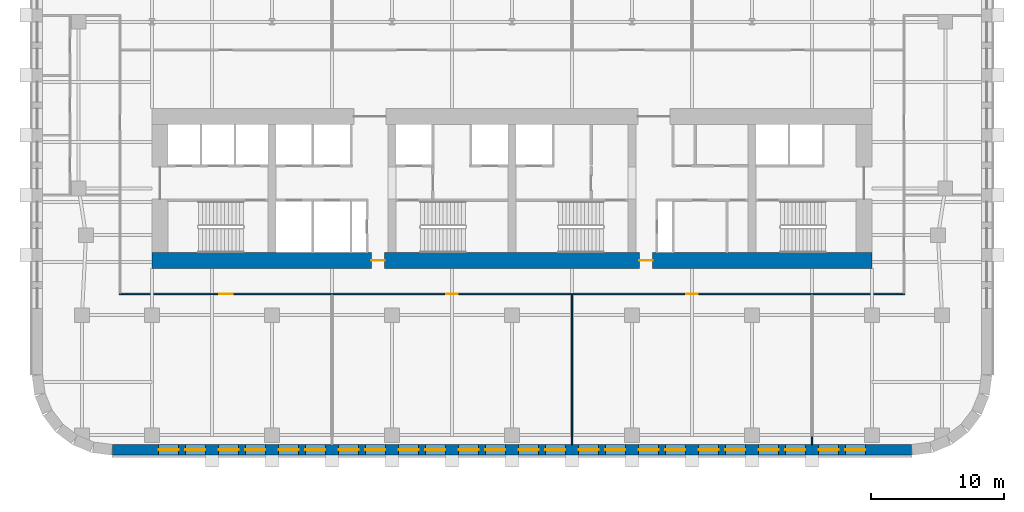
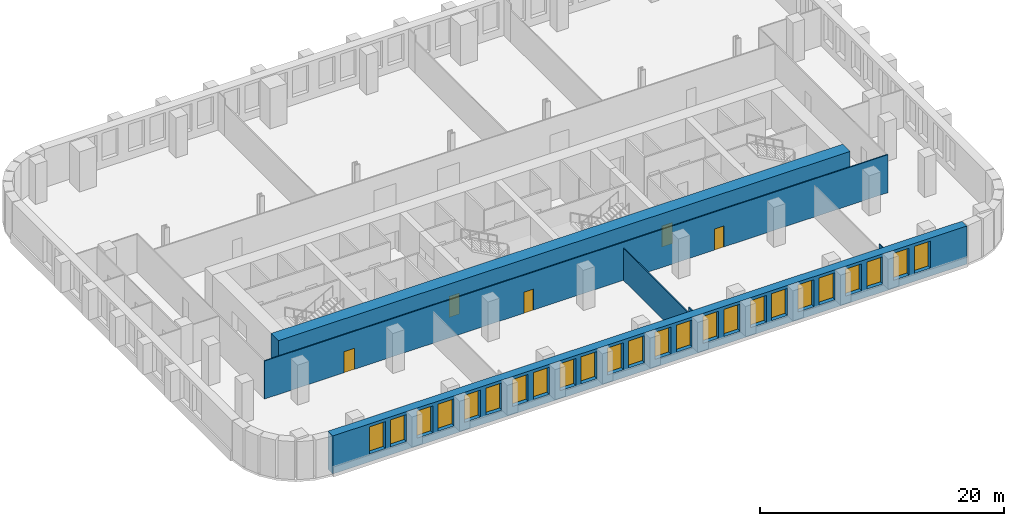
# One storey, part 5 of 11: 24 windows, 6 walls, 5 doors, 29 openings.
"""IFC4 building model written with IfcOpenShell, lengths in metres."""

from ifc_helpers import new_model, si_unit, direction, frame, frame_2d, origin, place, context, subcontext, project, spatial, rectangle, extrude, material, layer, layer_set, type_object, element, fill, save


model = new_model("IFC4")

# Units and contexts
model_context = context("Model", 3, precision=1e-05, world=origin(), true_north=direction((0.0, 1.0)))
body_context = subcontext(model_context, "Body", "Model", "MODEL_VIEW")
ifc_project = project(units=[si_unit("LENGTHUNIT", "METRE"), si_unit("AREAUNIT", "SQUARE_METRE"), si_unit("VOLUMEUNIT", "CUBIC_METRE"), si_unit("PLANEANGLEUNIT", "RADIAN"), si_unit("MASSUNIT", "GRAM", prefix="KILO")], contexts=[model_context])

# Site, building, storey
site_placement = place(None, origin())
site = spatial("IfcSite", under=ifc_project, at=site_placement, CompositionType="ELEMENT")
building_placement = place(site_placement, origin())
building = spatial("IfcBuilding", under=site, at=building_placement, Name="Zellij Exchange Tower", CompositionType="ELEMENT")
storey_placement = place(building_placement, frame((0.0, 0.0, 72.5)))
storey = spatial("IfcBuildingStorey", under=building, at=storey_placement, Name="L14", CompositionType="ELEMENT", Elevation=72.5)

# Wall, openings, doors
ifc_material_1 = material(Name="Concrete C70/85", Category="concrete")
ifc_layer_1 = layer(ifc_material_1, 1.199951171875)
ifc_layer_set_1 = layer_set([ifc_layer_1], Name="Concrete C70/85")
wall_type_1 = type_object("IfcWallType", Name="CORE-SW 1200 C70/85", PredefinedType="SHEAR", material=ifc_layer_set_1)
wall_1_placement = place(storey_placement, frame((-27.0, -13.39990234375, 0.0), z_axis=(0.0, 0.0, 1.0), x_axis=(1.0, 0.0, 0.0)))
wall_1 = element("IfcWall", 1, at=wall_1_placement, inside=storey, type_object=wall_type_1, Name="Core shear wall rear L14", PredefinedType="SHEAR", context=body_context, shape_type="SweptSolid", body=[
    extrude(rectangle(XDim=54.0, YDim=1.199951171875, at=frame_2d((27.0, 0.0))), origin(), (0.0, 0.0, 1.0), 3.800048828125),
])
opening_1_placement = place(wall_1_placement, frame((16.449951171875, 0.0, 0.0)))
opening_1 = element("IfcOpeningElement", 2, at=opening_1_placement, cuts=wall_1, Name="Opening CA-08.12", PredefinedType="OPENING", context=body_context, shape_type="SweptSolid", body=[
    extrude(rectangle(XDim=1.0, YDim=2.10009765625, at=frame_2d((0.5, 1.050048828125))), frame((0.0, 0.61181640625, 0.0), z_axis=(0.0, -1.0, 0.0), x_axis=(1.0, 0.0, 0.0)), (0.0, 0.0, 1.0), 1.223876953125),
])
opening_2_placement = place(wall_1_placement, frame((36.550048828125, 0.0, 0.0)))
opening_2 = element("IfcOpeningElement", 3, at=opening_2_placement, cuts=wall_1, Name="Opening CA-08.20", PredefinedType="OPENING", context=body_context, shape_type="SweptSolid", body=[
    extrude(rectangle(XDim=1.0, YDim=2.10009765625, at=frame_2d((0.5, 1.050048828125))), frame((0.0, 0.61181640625, 0.0), z_axis=(0.0, -1.0, 0.0), x_axis=(1.0, 0.0, 0.0)), (0.0, 0.0, 1.0), 1.223876953125),
])
ifc_material_2 = material(Name="Hollow metal fire door")
door_type_1 = type_object("IfcDoorType", Name="CORE-D CR Core rear door 1000x2100 20 MIN", OperationType="NOTDEFINED", PredefinedType="DOOR", material=ifc_material_2)
door_1_placement = place(opening_1_placement, origin())
door_1 = element("IfcDoor", 4, at=door_1_placement, inside=storey, type_object=door_type_1, Name="Core rear door CA-08.12", OperationType="SINGLE_SWING_RIGHT", OverallHeight=2.10009765625, OverallWidth=1.0, PredefinedType="DOOR", context=body_context, shape_type="SweptSolid", body=[
    extrude(rectangle(XDim=1.0, YDim=2.10009765625, at=frame_2d((0.5, 1.050048828125))), frame((0.0, 0.02490234375, 0.0), z_axis=(0.0, -1.0, 0.0), x_axis=(1.0, 0.0, 0.0)), (0.0, 0.0, 1.0), 0.050048828125),
])
fill(opening_1, door_1)
door_2_placement = place(opening_2_placement, origin())
door_2 = element("IfcDoor", 5, at=door_2_placement, inside=storey, type_object=door_type_1, Name="Core rear door CA-08.20", OperationType="SINGLE_SWING_LEFT", OverallHeight=2.10009765625, OverallWidth=1.0, PredefinedType="DOOR", context=body_context, shape_type="SweptSolid", body=[
    extrude(rectangle(XDim=1.0, YDim=2.10009765625, at=frame_2d((0.5, 1.050048828125))), frame((0.0, 0.02490234375, 0.0), z_axis=(0.0, -1.0, 0.0), x_axis=(1.0, 0.0, 0.0)), (0.0, 0.0, 1.0), 0.050048828125),
])
fill(opening_2, door_2)

# Wall, openings, windows
ifc_material_3 = material(Name="Precast concrete C40/50", Category="concrete")
ifc_layer_2 = layer(ifc_material_3, 0.800048828125)
ifc_layer_set_2 = layer_set([ifc_layer_2], Name="Precast concrete C40/50")
wall_type_2 = type_object("IfcWallType", Name="ENV-EW1 Precast stone-piered wall 800", PredefinedType="SOLIDWALL", material=ifc_layer_set_2)
wall_2_placement = place(storey_placement, frame((-29.947509765625, -27.60009765625, 0.0), z_axis=(0.0, 0.0, 1.0), x_axis=(1.0, 0.0, 0.0)))
wall_2 = element("IfcWall", 6, at=wall_2_placement, inside=storey, type_object=wall_type_2, Name="fac.L14.00", PredefinedType="SOLIDWALL", context=body_context, shape_type="SweptSolid", body=[
    extrude(rectangle(XDim=59.89501953125, YDim=0.800048828125, at=frame_2d((29.947509765625, 0.0))), origin(), (0.0, 0.0, 1.0), 3.800048828125),
])
opening_3_placement = place(wall_2_placement, frame((3.447509765625, 0.0, 0.800048828125)))
opening_3 = element("IfcOpeningElement", 7, at=opening_3_placement, cuts=wall_2, Name="Opening FZ1.01", PredefinedType="OPENING", context=body_context, shape_type="SweptSolid", body=[
    extrude(rectangle(XDim=1.5, YDim=2.699951171875, at=frame_2d((0.75, 1.35009765625))), frame((0.0, 0.412109375, 0.0), z_axis=(0.0, -1.0, 0.0), x_axis=(1.0, 0.0, 0.0)), (0.0, 0.0, 1.0), 0.823974609375),
])
opening_4_placement = place(wall_2_placement, frame((5.447509765625, 0.0, 0.800048828125)))
opening_4 = element("IfcOpeningElement", 8, at=opening_4_placement, cuts=wall_2, Name="Opening FZ1.02", PredefinedType="OPENING", context=body_context, shape_type="SweptSolid", body=[
    extrude(rectangle(XDim=1.5, YDim=2.699951171875, at=frame_2d((0.75, 1.35009765625))), frame((0.0, 0.412109375, 0.0), z_axis=(0.0, -1.0, 0.0), x_axis=(1.0, 0.0, 0.0)), (0.0, 0.0, 1.0), 0.823974609375),
])
opening_5_placement = place(wall_2_placement, frame((7.947509765625, 0.0, 0.800048828125)))
opening_5 = element("IfcOpeningElement", 9, at=opening_5_placement, cuts=wall_2, Name="Opening FZ1.03", PredefinedType="OPENING", context=body_context, shape_type="SweptSolid", body=[
    extrude(rectangle(XDim=1.5, YDim=2.699951171875, at=frame_2d((0.75, 1.35009765625))), frame((0.0, 0.412109375, 0.0), z_axis=(0.0, -1.0, 0.0), x_axis=(1.0, 0.0, 0.0)), (0.0, 0.0, 1.0), 0.823974609375),
])
opening_6_placement = place(wall_2_placement, frame((9.947509765625, 0.0, 0.800048828125)))
opening_6 = element("IfcOpeningElement", 10, at=opening_6_placement, cuts=wall_2, Name="Opening FZ1.04", PredefinedType="OPENING", context=body_context, shape_type="SweptSolid", body=[
    extrude(rectangle(XDim=1.5, YDim=2.699951171875, at=frame_2d((0.75, 1.35009765625))), frame((0.0, 0.412109375, 0.0), z_axis=(0.0, -1.0, 0.0), x_axis=(1.0, 0.0, 0.0)), (0.0, 0.0, 1.0), 0.823974609375),
])
opening_7_placement = place(wall_2_placement, frame((12.447509765625, 0.0, 0.800048828125)))
opening_7 = element("IfcOpeningElement", 11, at=opening_7_placement, cuts=wall_2, Name="Opening FZ1.05", PredefinedType="OPENING", context=body_context, shape_type="SweptSolid", body=[
    extrude(rectangle(XDim=1.5, YDim=2.699951171875, at=frame_2d((0.75, 1.35009765625))), frame((0.0, 0.412109375, 0.0), z_axis=(0.0, -1.0, 0.0), x_axis=(1.0, 0.0, 0.0)), (0.0, 0.0, 1.0), 0.823974609375),
])
opening_8_placement = place(wall_2_placement, frame((14.447509765625, 0.0, 0.800048828125)))
opening_8 = element("IfcOpeningElement", 12, at=opening_8_placement, cuts=wall_2, Name="Opening FZ1.06", PredefinedType="OPENING", context=body_context, shape_type="SweptSolid", body=[
    extrude(rectangle(XDim=1.5, YDim=2.699951171875, at=frame_2d((0.75, 1.35009765625))), frame((0.0, 0.412109375, 0.0), z_axis=(0.0, -1.0, 0.0), x_axis=(1.0, 0.0, 0.0)), (0.0, 0.0, 1.0), 0.823974609375),
])
opening_9_placement = place(wall_2_placement, frame((16.947509765625, 0.0, 0.800048828125)))
opening_9 = element("IfcOpeningElement", 13, at=opening_9_placement, cuts=wall_2, Name="Opening FZ1.07", PredefinedType="OPENING", context=body_context, shape_type="SweptSolid", body=[
    extrude(rectangle(XDim=1.5, YDim=2.699951171875, at=frame_2d((0.75, 1.35009765625))), frame((0.0, 0.412109375, 0.0), z_axis=(0.0, -1.0, 0.0), x_axis=(1.0, 0.0, 0.0)), (0.0, 0.0, 1.0), 0.823974609375),
])
opening_10_placement = place(wall_2_placement, frame((18.947509765625, 0.0, 0.800048828125)))
opening_10 = element("IfcOpeningElement", 14, at=opening_10_placement, cuts=wall_2, Name="Opening FZ1.08", PredefinedType="OPENING", context=body_context, shape_type="SweptSolid", body=[
    extrude(rectangle(XDim=1.5, YDim=2.699951171875, at=frame_2d((0.75, 1.35009765625))), frame((0.0, 0.412109375, 0.0), z_axis=(0.0, -1.0, 0.0), x_axis=(1.0, 0.0, 0.0)), (0.0, 0.0, 1.0), 0.823974609375),
])
opening_11_placement = place(wall_2_placement, frame((21.447509765625, 0.0, 0.800048828125)))
opening_11 = element("IfcOpeningElement", 15, at=opening_11_placement, cuts=wall_2, Name="Opening FZ1.09", PredefinedType="OPENING", context=body_context, shape_type="SweptSolid", body=[
    extrude(rectangle(XDim=1.5, YDim=2.699951171875, at=frame_2d((0.75, 1.35009765625))), frame((0.0, 0.412109375, 0.0), z_axis=(0.0, -1.0, 0.0), x_axis=(1.0, 0.0, 0.0)), (0.0, 0.0, 1.0), 0.823974609375),
])
opening_12_placement = place(wall_2_placement, frame((23.447509765625, 0.0, 0.800048828125)))
opening_12 = element("IfcOpeningElement", 16, at=opening_12_placement, cuts=wall_2, Name="Opening FZ1.10", PredefinedType="OPENING", context=body_context, shape_type="SweptSolid", body=[
    extrude(rectangle(XDim=1.5, YDim=2.699951171875, at=frame_2d((0.75, 1.35009765625))), frame((0.0, 0.412109375, 0.0), z_axis=(0.0, -1.0, 0.0), x_axis=(1.0, 0.0, 0.0)), (0.0, 0.0, 1.0), 0.823974609375),
])
opening_13_placement = place(wall_2_placement, frame((25.947509765625, 0.0, 0.800048828125)))
opening_13 = element("IfcOpeningElement", 17, at=opening_13_placement, cuts=wall_2, Name="Opening FZ1.11", PredefinedType="OPENING", context=body_context, shape_type="SweptSolid", body=[
    extrude(rectangle(XDim=1.5, YDim=2.699951171875, at=frame_2d((0.75, 1.35009765625))), frame((0.0, 0.412109375, 0.0), z_axis=(0.0, -1.0, 0.0), x_axis=(1.0, 0.0, 0.0)), (0.0, 0.0, 1.0), 0.823974609375),
])
opening_14_placement = place(wall_2_placement, frame((27.947509765625, 0.0, 0.800048828125)))
opening_14 = element("IfcOpeningElement", 18, at=opening_14_placement, cuts=wall_2, Name="Opening FZ1.12", PredefinedType="OPENING", context=body_context, shape_type="SweptSolid", body=[
    extrude(rectangle(XDim=1.5, YDim=2.699951171875, at=frame_2d((0.75, 1.35009765625))), frame((0.0, 0.412109375, 0.0), z_axis=(0.0, -1.0, 0.0), x_axis=(1.0, 0.0, 0.0)), (0.0, 0.0, 1.0), 0.823974609375),
])
opening_15_placement = place(wall_2_placement, frame((30.447509765625, 0.0, 0.800048828125)))
opening_15 = element("IfcOpeningElement", 19, at=opening_15_placement, cuts=wall_2, Name="Opening FZ1.13", PredefinedType="OPENING", context=body_context, shape_type="SweptSolid", body=[
    extrude(rectangle(XDim=1.5, YDim=2.699951171875, at=frame_2d((0.75, 1.35009765625))), frame((0.0, 0.412109375, 0.0), z_axis=(0.0, -1.0, 0.0), x_axis=(1.0, 0.0, 0.0)), (0.0, 0.0, 1.0), 0.823974609375),
])
opening_16_placement = place(wall_2_placement, frame((32.447509765625, 0.0, 0.800048828125)))
opening_16 = element("IfcOpeningElement", 20, at=opening_16_placement, cuts=wall_2, Name="Opening FZ1.14", PredefinedType="OPENING", context=body_context, shape_type="SweptSolid", body=[
    extrude(rectangle(XDim=1.5, YDim=2.699951171875, at=frame_2d((0.75, 1.35009765625))), frame((0.0, 0.412109375, 0.0), z_axis=(0.0, -1.0, 0.0), x_axis=(1.0, 0.0, 0.0)), (0.0, 0.0, 1.0), 0.823974609375),
])
opening_17_placement = place(wall_2_placement, frame((34.947509765625, 0.0, 0.800048828125)))
opening_17 = element("IfcOpeningElement", 21, at=opening_17_placement, cuts=wall_2, Name="Opening FZ1.15", PredefinedType="OPENING", context=body_context, shape_type="SweptSolid", body=[
    extrude(rectangle(XDim=1.5, YDim=2.699951171875, at=frame_2d((0.75, 1.35009765625))), frame((0.0, 0.412109375, 0.0), z_axis=(0.0, -1.0, 0.0), x_axis=(1.0, 0.0, 0.0)), (0.0, 0.0, 1.0), 0.823974609375),
])
opening_18_placement = place(wall_2_placement, frame((36.947509765625, 0.0, 0.800048828125)))
opening_18 = element("IfcOpeningElement", 22, at=opening_18_placement, cuts=wall_2, Name="Opening FZ1.16", PredefinedType="OPENING", context=body_context, shape_type="SweptSolid", body=[
    extrude(rectangle(XDim=1.5, YDim=2.699951171875, at=frame_2d((0.75, 1.35009765625))), frame((0.0, 0.412109375, 0.0), z_axis=(0.0, -1.0, 0.0), x_axis=(1.0, 0.0, 0.0)), (0.0, 0.0, 1.0), 0.823974609375),
])
opening_19_placement = place(wall_2_placement, frame((39.447509765625, 0.0, 0.800048828125)))
opening_19 = element("IfcOpeningElement", 23, at=opening_19_placement, cuts=wall_2, Name="Opening FZ1.17", PredefinedType="OPENING", context=body_context, shape_type="SweptSolid", body=[
    extrude(rectangle(XDim=1.5, YDim=2.699951171875, at=frame_2d((0.75, 1.35009765625))), frame((0.0, 0.412109375, 0.0), z_axis=(0.0, -1.0, 0.0), x_axis=(1.0, 0.0, 0.0)), (0.0, 0.0, 1.0), 0.823974609375),
])
opening_20_placement = place(wall_2_placement, frame((41.447509765625, 0.0, 0.800048828125)))
opening_20 = element("IfcOpeningElement", 24, at=opening_20_placement, cuts=wall_2, Name="Opening FZ1.18", PredefinedType="OPENING", context=body_context, shape_type="SweptSolid", body=[
    extrude(rectangle(XDim=1.5, YDim=2.699951171875, at=frame_2d((0.75, 1.35009765625))), frame((0.0, 0.412109375, 0.0), z_axis=(0.0, -1.0, 0.0), x_axis=(1.0, 0.0, 0.0)), (0.0, 0.0, 1.0), 0.823974609375),
])
opening_21_placement = place(wall_2_placement, frame((43.947509765625, 0.0, 0.800048828125)))
opening_21 = element("IfcOpeningElement", 25, at=opening_21_placement, cuts=wall_2, Name="Opening FZ1.19", PredefinedType="OPENING", context=body_context, shape_type="SweptSolid", body=[
    extrude(rectangle(XDim=1.5, YDim=2.699951171875, at=frame_2d((0.75, 1.35009765625))), frame((0.0, 0.412109375, 0.0), z_axis=(0.0, -1.0, 0.0), x_axis=(1.0, 0.0, 0.0)), (0.0, 0.0, 1.0), 0.823974609375),
])
opening_22_placement = place(wall_2_placement, frame((45.947509765625, 0.0, 0.800048828125)))
opening_22 = element("IfcOpeningElement", 26, at=opening_22_placement, cuts=wall_2, Name="Opening FZ1.20", PredefinedType="OPENING", context=body_context, shape_type="SweptSolid", body=[
    extrude(rectangle(XDim=1.5, YDim=2.699951171875, at=frame_2d((0.75, 1.35009765625))), frame((0.0, 0.412109375, 0.0), z_axis=(0.0, -1.0, 0.0), x_axis=(1.0, 0.0, 0.0)), (0.0, 0.0, 1.0), 0.823974609375),
])
opening_23_placement = place(wall_2_placement, frame((48.447509765625, 0.0, 0.800048828125)))
opening_23 = element("IfcOpeningElement", 27, at=opening_23_placement, cuts=wall_2, Name="Opening FZ1.21", PredefinedType="OPENING", context=body_context, shape_type="SweptSolid", body=[
    extrude(rectangle(XDim=1.5, YDim=2.699951171875, at=frame_2d((0.75, 1.35009765625))), frame((0.0, 0.412109375, 0.0), z_axis=(0.0, -1.0, 0.0), x_axis=(1.0, 0.0, 0.0)), (0.0, 0.0, 1.0), 0.823974609375),
])
opening_24_placement = place(wall_2_placement, frame((50.447509765625, 0.0, 0.800048828125)))
opening_24 = element("IfcOpeningElement", 28, at=opening_24_placement, cuts=wall_2, Name="Opening FZ1.22", PredefinedType="OPENING", context=body_context, shape_type="SweptSolid", body=[
    extrude(rectangle(XDim=1.5, YDim=2.699951171875, at=frame_2d((0.75, 1.35009765625))), frame((0.0, 0.412109375, 0.0), z_axis=(0.0, -1.0, 0.0), x_axis=(1.0, 0.0, 0.0)), (0.0, 0.0, 1.0), 0.823974609375),
])
opening_25_placement = place(wall_2_placement, frame((52.947509765625, 0.0, 0.800048828125)))
opening_25 = element("IfcOpeningElement", 29, at=opening_25_placement, cuts=wall_2, Name="Opening FZ1.23", PredefinedType="OPENING", context=body_context, shape_type="SweptSolid", body=[
    extrude(rectangle(XDim=1.5, YDim=2.699951171875, at=frame_2d((0.75, 1.35009765625))), frame((0.0, 0.412109375, 0.0), z_axis=(0.0, -1.0, 0.0), x_axis=(1.0, 0.0, 0.0)), (0.0, 0.0, 1.0), 0.823974609375),
])
opening_26_placement = place(wall_2_placement, frame((54.947509765625, 0.0, 0.800048828125)))
opening_26 = element("IfcOpeningElement", 30, at=opening_26_placement, cuts=wall_2, Name="Opening FZ1.24", PredefinedType="OPENING", context=body_context, shape_type="SweptSolid", body=[
    extrude(rectangle(XDim=1.5, YDim=2.699951171875, at=frame_2d((0.75, 1.35009765625))), frame((0.0, 0.412109375, 0.0), z_axis=(0.0, -1.0, 0.0), x_axis=(1.0, 0.0, 0.0)), (0.0, 0.0, 1.0), 0.823974609375),
])
ifc_material_4 = material(Name="Aluminium frame with insulating glass", Category="aluminium")
window_type = type_object("IfcWindowType", Name="ENV-W6 Window 1500x2700", PartitioningType="SINGLE_PANEL", PredefinedType="WINDOW", material=ifc_material_4)
window_1_placement = place(opening_3_placement, origin())
window_1 = element("IfcWindow", 31, at=window_1_placement, inside=storey, type_object=window_type, Name="Window FZ1.01", OverallHeight=2.699951171875, OverallWidth=1.5, PartitioningType="SINGLE_PANEL", PredefinedType="WINDOW", context=body_context, shape_type="SweptSolid", body=[
    extrude(rectangle(XDim=1.5, YDim=2.699951171875, at=frame_2d((0.75, 1.35009765625))), frame((0.0, 0.030029296875, 0.0), z_axis=(0.0, -1.0, 0.0), x_axis=(1.0, 0.0, 0.0)), (0.0, 0.0, 1.0), 0.06005859375),
])
fill(opening_3, window_1)
window_2_placement = place(opening_4_placement, origin())
window_2 = element("IfcWindow", 32, at=window_2_placement, inside=storey, type_object=window_type, Name="Window FZ1.02", OverallHeight=2.699951171875, OverallWidth=1.5, PartitioningType="SINGLE_PANEL", PredefinedType="WINDOW", context=body_context, shape_type="SweptSolid", body=[
    extrude(rectangle(XDim=1.5, YDim=2.699951171875, at=frame_2d((0.75, 1.35009765625))), frame((0.0, 0.030029296875, 0.0), z_axis=(0.0, -1.0, 0.0), x_axis=(1.0, 0.0, 0.0)), (0.0, 0.0, 1.0), 0.06005859375),
])
fill(opening_4, window_2)
window_3_placement = place(opening_5_placement, origin())
window_3 = element("IfcWindow", 33, at=window_3_placement, inside=storey, type_object=window_type, Name="Window FZ1.03", OverallHeight=2.699951171875, OverallWidth=1.5, PartitioningType="SINGLE_PANEL", PredefinedType="WINDOW", context=body_context, shape_type="SweptSolid", body=[
    extrude(rectangle(XDim=1.5, YDim=2.699951171875, at=frame_2d((0.75, 1.35009765625))), frame((0.0, 0.030029296875, 0.0), z_axis=(0.0, -1.0, 0.0), x_axis=(1.0, 0.0, 0.0)), (0.0, 0.0, 1.0), 0.06005859375),
])
fill(opening_5, window_3)
window_4_placement = place(opening_6_placement, origin())
window_4 = element("IfcWindow", 34, at=window_4_placement, inside=storey, type_object=window_type, Name="Window FZ1.04", OverallHeight=2.699951171875, OverallWidth=1.5, PartitioningType="SINGLE_PANEL", PredefinedType="WINDOW", context=body_context, shape_type="SweptSolid", body=[
    extrude(rectangle(XDim=1.5, YDim=2.699951171875, at=frame_2d((0.75, 1.35009765625))), frame((0.0, 0.030029296875, 0.0), z_axis=(0.0, -1.0, 0.0), x_axis=(1.0, 0.0, 0.0)), (0.0, 0.0, 1.0), 0.06005859375),
])
fill(opening_6, window_4)
window_5_placement = place(opening_7_placement, origin())
window_5 = element("IfcWindow", 35, at=window_5_placement, inside=storey, type_object=window_type, Name="Window FZ1.05", OverallHeight=2.699951171875, OverallWidth=1.5, PartitioningType="SINGLE_PANEL", PredefinedType="WINDOW", context=body_context, shape_type="SweptSolid", body=[
    extrude(rectangle(XDim=1.5, YDim=2.699951171875, at=frame_2d((0.75, 1.35009765625))), frame((0.0, 0.030029296875, 0.0), z_axis=(0.0, -1.0, 0.0), x_axis=(1.0, 0.0, 0.0)), (0.0, 0.0, 1.0), 0.06005859375),
])
fill(opening_7, window_5)
window_6_placement = place(opening_8_placement, origin())
window_6 = element("IfcWindow", 36, at=window_6_placement, inside=storey, type_object=window_type, Name="Window FZ1.06", OverallHeight=2.699951171875, OverallWidth=1.5, PartitioningType="SINGLE_PANEL", PredefinedType="WINDOW", context=body_context, shape_type="SweptSolid", body=[
    extrude(rectangle(XDim=1.5, YDim=2.699951171875, at=frame_2d((0.75, 1.35009765625))), frame((0.0, 0.030029296875, 0.0), z_axis=(0.0, -1.0, 0.0), x_axis=(1.0, 0.0, 0.0)), (0.0, 0.0, 1.0), 0.06005859375),
])
fill(opening_8, window_6)
window_7_placement = place(opening_9_placement, origin())
window_7 = element("IfcWindow", 37, at=window_7_placement, inside=storey, type_object=window_type, Name="Window FZ1.07", OverallHeight=2.699951171875, OverallWidth=1.5, PartitioningType="SINGLE_PANEL", PredefinedType="WINDOW", context=body_context, shape_type="SweptSolid", body=[
    extrude(rectangle(XDim=1.5, YDim=2.699951171875, at=frame_2d((0.75, 1.35009765625))), frame((0.0, 0.030029296875, 0.0), z_axis=(0.0, -1.0, 0.0), x_axis=(1.0, 0.0, 0.0)), (0.0, 0.0, 1.0), 0.06005859375),
])
fill(opening_9, window_7)
window_8_placement = place(opening_10_placement, origin())
window_8 = element("IfcWindow", 38, at=window_8_placement, inside=storey, type_object=window_type, Name="Window FZ1.08", OverallHeight=2.699951171875, OverallWidth=1.5, PartitioningType="SINGLE_PANEL", PredefinedType="WINDOW", context=body_context, shape_type="SweptSolid", body=[
    extrude(rectangle(XDim=1.5, YDim=2.699951171875, at=frame_2d((0.75, 1.35009765625))), frame((0.0, 0.030029296875, 0.0), z_axis=(0.0, -1.0, 0.0), x_axis=(1.0, 0.0, 0.0)), (0.0, 0.0, 1.0), 0.06005859375),
])
fill(opening_10, window_8)
window_9_placement = place(opening_11_placement, origin())
window_9 = element("IfcWindow", 39, at=window_9_placement, inside=storey, type_object=window_type, Name="Window FZ1.09", OverallHeight=2.699951171875, OverallWidth=1.5, PartitioningType="SINGLE_PANEL", PredefinedType="WINDOW", context=body_context, shape_type="SweptSolid", body=[
    extrude(rectangle(XDim=1.5, YDim=2.699951171875, at=frame_2d((0.75, 1.35009765625))), frame((0.0, 0.030029296875, 0.0), z_axis=(0.0, -1.0, 0.0), x_axis=(1.0, 0.0, 0.0)), (0.0, 0.0, 1.0), 0.06005859375),
])
fill(opening_11, window_9)
window_10_placement = place(opening_12_placement, origin())
window_10 = element("IfcWindow", 40, at=window_10_placement, inside=storey, type_object=window_type, Name="Window FZ1.10", OverallHeight=2.699951171875, OverallWidth=1.5, PartitioningType="SINGLE_PANEL", PredefinedType="WINDOW", context=body_context, shape_type="SweptSolid", body=[
    extrude(rectangle(XDim=1.5, YDim=2.699951171875, at=frame_2d((0.75, 1.35009765625))), frame((0.0, 0.030029296875, 0.0), z_axis=(0.0, -1.0, 0.0), x_axis=(1.0, 0.0, 0.0)), (0.0, 0.0, 1.0), 0.06005859375),
])
fill(opening_12, window_10)
window_11_placement = place(opening_13_placement, origin())
window_11 = element("IfcWindow", 41, at=window_11_placement, inside=storey, type_object=window_type, Name="Window FZ1.11", OverallHeight=2.699951171875, OverallWidth=1.5, PartitioningType="SINGLE_PANEL", PredefinedType="WINDOW", context=body_context, shape_type="SweptSolid", body=[
    extrude(rectangle(XDim=1.5, YDim=2.699951171875, at=frame_2d((0.75, 1.35009765625))), frame((0.0, 0.030029296875, 0.0), z_axis=(0.0, -1.0, 0.0), x_axis=(1.0, 0.0, 0.0)), (0.0, 0.0, 1.0), 0.06005859375),
])
fill(opening_13, window_11)
window_12_placement = place(opening_14_placement, origin())
window_12 = element("IfcWindow", 42, at=window_12_placement, inside=storey, type_object=window_type, Name="Window FZ1.12", OverallHeight=2.699951171875, OverallWidth=1.5, PartitioningType="SINGLE_PANEL", PredefinedType="WINDOW", context=body_context, shape_type="SweptSolid", body=[
    extrude(rectangle(XDim=1.5, YDim=2.699951171875, at=frame_2d((0.75, 1.35009765625))), frame((0.0, 0.030029296875, 0.0), z_axis=(0.0, -1.0, 0.0), x_axis=(1.0, 0.0, 0.0)), (0.0, 0.0, 1.0), 0.06005859375),
])
fill(opening_14, window_12)
window_13_placement = place(opening_15_placement, origin())
window_13 = element("IfcWindow", 43, at=window_13_placement, inside=storey, type_object=window_type, Name="Window FZ1.13", OverallHeight=2.699951171875, OverallWidth=1.5, PartitioningType="SINGLE_PANEL", PredefinedType="WINDOW", context=body_context, shape_type="SweptSolid", body=[
    extrude(rectangle(XDim=1.5, YDim=2.699951171875, at=frame_2d((0.75, 1.35009765625))), frame((0.0, 0.030029296875, 0.0), z_axis=(0.0, -1.0, 0.0), x_axis=(1.0, 0.0, 0.0)), (0.0, 0.0, 1.0), 0.06005859375),
])
fill(opening_15, window_13)
window_14_placement = place(opening_16_placement, origin())
window_14 = element("IfcWindow", 44, at=window_14_placement, inside=storey, type_object=window_type, Name="Window FZ1.14", OverallHeight=2.699951171875, OverallWidth=1.5, PartitioningType="SINGLE_PANEL", PredefinedType="WINDOW", context=body_context, shape_type="SweptSolid", body=[
    extrude(rectangle(XDim=1.5, YDim=2.699951171875, at=frame_2d((0.75, 1.35009765625))), frame((0.0, 0.030029296875, 0.0), z_axis=(0.0, -1.0, 0.0), x_axis=(1.0, 0.0, 0.0)), (0.0, 0.0, 1.0), 0.06005859375),
])
fill(opening_16, window_14)
window_15_placement = place(opening_17_placement, origin())
window_15 = element("IfcWindow", 45, at=window_15_placement, inside=storey, type_object=window_type, Name="Window FZ1.15", OverallHeight=2.699951171875, OverallWidth=1.5, PartitioningType="SINGLE_PANEL", PredefinedType="WINDOW", context=body_context, shape_type="SweptSolid", body=[
    extrude(rectangle(XDim=1.5, YDim=2.699951171875, at=frame_2d((0.75, 1.35009765625))), frame((0.0, 0.030029296875, 0.0), z_axis=(0.0, -1.0, 0.0), x_axis=(1.0, 0.0, 0.0)), (0.0, 0.0, 1.0), 0.06005859375),
])
fill(opening_17, window_15)
window_16_placement = place(opening_18_placement, origin())
window_16 = element("IfcWindow", 46, at=window_16_placement, inside=storey, type_object=window_type, Name="Window FZ1.16", OverallHeight=2.699951171875, OverallWidth=1.5, PartitioningType="SINGLE_PANEL", PredefinedType="WINDOW", context=body_context, shape_type="SweptSolid", body=[
    extrude(rectangle(XDim=1.5, YDim=2.699951171875, at=frame_2d((0.75, 1.35009765625))), frame((0.0, 0.030029296875, 0.0), z_axis=(0.0, -1.0, 0.0), x_axis=(1.0, 0.0, 0.0)), (0.0, 0.0, 1.0), 0.06005859375),
])
fill(opening_18, window_16)
window_17_placement = place(opening_19_placement, origin())
window_17 = element("IfcWindow", 47, at=window_17_placement, inside=storey, type_object=window_type, Name="Window FZ1.17", OverallHeight=2.699951171875, OverallWidth=1.5, PartitioningType="SINGLE_PANEL", PredefinedType="WINDOW", context=body_context, shape_type="SweptSolid", body=[
    extrude(rectangle(XDim=1.5, YDim=2.699951171875, at=frame_2d((0.75, 1.35009765625))), frame((0.0, 0.030029296875, 0.0), z_axis=(0.0, -1.0, 0.0), x_axis=(1.0, 0.0, 0.0)), (0.0, 0.0, 1.0), 0.06005859375),
])
fill(opening_19, window_17)
window_18_placement = place(opening_20_placement, origin())
window_18 = element("IfcWindow", 48, at=window_18_placement, inside=storey, type_object=window_type, Name="Window FZ1.18", OverallHeight=2.699951171875, OverallWidth=1.5, PartitioningType="SINGLE_PANEL", PredefinedType="WINDOW", context=body_context, shape_type="SweptSolid", body=[
    extrude(rectangle(XDim=1.5, YDim=2.699951171875, at=frame_2d((0.75, 1.35009765625))), frame((0.0, 0.030029296875, 0.0), z_axis=(0.0, -1.0, 0.0), x_axis=(1.0, 0.0, 0.0)), (0.0, 0.0, 1.0), 0.06005859375),
])
fill(opening_20, window_18)
window_19_placement = place(opening_21_placement, origin())
window_19 = element("IfcWindow", 49, at=window_19_placement, inside=storey, type_object=window_type, Name="Window FZ1.19", OverallHeight=2.699951171875, OverallWidth=1.5, PartitioningType="SINGLE_PANEL", PredefinedType="WINDOW", context=body_context, shape_type="SweptSolid", body=[
    extrude(rectangle(XDim=1.5, YDim=2.699951171875, at=frame_2d((0.75, 1.35009765625))), frame((0.0, 0.030029296875, 0.0), z_axis=(0.0, -1.0, 0.0), x_axis=(1.0, 0.0, 0.0)), (0.0, 0.0, 1.0), 0.06005859375),
])
fill(opening_21, window_19)
window_20_placement = place(opening_22_placement, origin())
window_20 = element("IfcWindow", 50, at=window_20_placement, inside=storey, type_object=window_type, Name="Window FZ1.20", OverallHeight=2.699951171875, OverallWidth=1.5, PartitioningType="SINGLE_PANEL", PredefinedType="WINDOW", context=body_context, shape_type="SweptSolid", body=[
    extrude(rectangle(XDim=1.5, YDim=2.699951171875, at=frame_2d((0.75, 1.35009765625))), frame((0.0, 0.030029296875, 0.0), z_axis=(0.0, -1.0, 0.0), x_axis=(1.0, 0.0, 0.0)), (0.0, 0.0, 1.0), 0.06005859375),
])
fill(opening_22, window_20)
window_21_placement = place(opening_23_placement, origin())
window_21 = element("IfcWindow", 51, at=window_21_placement, inside=storey, type_object=window_type, Name="Window FZ1.21", OverallHeight=2.699951171875, OverallWidth=1.5, PartitioningType="SINGLE_PANEL", PredefinedType="WINDOW", context=body_context, shape_type="SweptSolid", body=[
    extrude(rectangle(XDim=1.5, YDim=2.699951171875, at=frame_2d((0.75, 1.35009765625))), frame((0.0, 0.030029296875, 0.0), z_axis=(0.0, -1.0, 0.0), x_axis=(1.0, 0.0, 0.0)), (0.0, 0.0, 1.0), 0.06005859375),
])
fill(opening_23, window_21)
window_22_placement = place(opening_24_placement, origin())
window_22 = element("IfcWindow", 52, at=window_22_placement, inside=storey, type_object=window_type, Name="Window FZ1.22", OverallHeight=2.699951171875, OverallWidth=1.5, PartitioningType="SINGLE_PANEL", PredefinedType="WINDOW", context=body_context, shape_type="SweptSolid", body=[
    extrude(rectangle(XDim=1.5, YDim=2.699951171875, at=frame_2d((0.75, 1.35009765625))), frame((0.0, 0.030029296875, 0.0), z_axis=(0.0, -1.0, 0.0), x_axis=(1.0, 0.0, 0.0)), (0.0, 0.0, 1.0), 0.06005859375),
])
fill(opening_24, window_22)
window_23_placement = place(opening_25_placement, origin())
window_23 = element("IfcWindow", 53, at=window_23_placement, inside=storey, type_object=window_type, Name="Window FZ1.23", OverallHeight=2.699951171875, OverallWidth=1.5, PartitioningType="SINGLE_PANEL", PredefinedType="WINDOW", context=body_context, shape_type="SweptSolid", body=[
    extrude(rectangle(XDim=1.5, YDim=2.699951171875, at=frame_2d((0.75, 1.35009765625))), frame((0.0, 0.030029296875, 0.0), z_axis=(0.0, -1.0, 0.0), x_axis=(1.0, 0.0, 0.0)), (0.0, 0.0, 1.0), 0.06005859375),
])
fill(opening_25, window_23)
window_24_placement = place(opening_26_placement, origin())
window_24 = element("IfcWindow", 54, at=window_24_placement, inside=storey, type_object=window_type, Name="Window FZ1.24", OverallHeight=2.699951171875, OverallWidth=1.5, PartitioningType="SINGLE_PANEL", PredefinedType="WINDOW", context=body_context, shape_type="SweptSolid", body=[
    extrude(rectangle(XDim=1.5, YDim=2.699951171875, at=frame_2d((0.75, 1.35009765625))), frame((0.0, 0.030029296875, 0.0), z_axis=(0.0, -1.0, 0.0), x_axis=(1.0, 0.0, 0.0)), (0.0, 0.0, 1.0), 0.06005859375),
])
fill(opening_26, window_24)

# Walls
ifc_material_5 = material(Name="Gypsum board partition on steel studs", Category="steel")
ifc_layer_3 = layer(ifc_material_5, 0.10009765625)
ifc_layer_set_3 = layer_set([ifc_layer_3], Name="Gypsum board partition on steel studs")
wall_type_3 = type_object("IfcWallType", Name="FIT-PARTITION-100", PredefinedType="PARTITIONING", material=ifc_layer_set_3)
wall_3_placement = place(storey_placement, frame((4.5, -27.199951171875, 0.0), z_axis=(0.0, 0.0, 1.0), x_axis=(0.0, 1.0, 0.0)))
element("IfcWall", 55, at=wall_3_placement, inside=storey, type_object=wall_type_3, Name="FIT-PARTITION-100 003", PredefinedType="PARTITIONING", context=body_context, shape_type="SweptSolid", body=[
    extrude(rectangle(XDim=0.58544921875, YDim=0.10009765625, at=frame_2d((0.292724609375, 0.0))), origin(), (0.0, 0.0, 1.0), 3.800048828125),
])
wall_4_placement = place(storey_placement, frame((4.5, -26.614501953125, 0.0), z_axis=(0.0, 0.0, 1.0), x_axis=(0.0, 1.0, 0.0)))
element("IfcWall", 56, at=wall_4_placement, inside=storey, type_object=wall_type_3, Name="FIT-PARTITION-100 004", PredefinedType="PARTITIONING", context=body_context, shape_type="SweptSolid", body=[
    extrude(rectangle(XDim=10.66455078125, YDim=0.10009765625, at=frame_2d((5.332275390625, 0.0))), origin(), (0.0, 0.0, 1.0), 3.197998046875),
])
wall_5_placement = place(storey_placement, frame((22.5, -27.199951171875, 0.0), z_axis=(0.0, 0.0, 1.0), x_axis=(0.0, 1.0, 0.0)))
element("IfcWall", 57, at=wall_5_placement, inside=storey, type_object=wall_type_3, Name="FIT-PARTITION-100 005", PredefinedType="PARTITIONING", context=body_context, shape_type="SweptSolid", body=[
    extrude(rectangle(XDim=0.58544921875, YDim=0.10009765625, at=frame_2d((0.292724609375, 0.0))), origin(), (0.0, 0.0, 1.0), 3.800048828125),
])

# Wall, openings, doors
wall_6_placement = place(storey_placement, frame((-29.449951171875, -15.89990234375, 0.0), z_axis=(0.0, 0.0, 1.0), x_axis=(1.0, 0.0, 0.0)))
wall_6 = element("IfcWall", 58, at=wall_6_placement, inside=storey, type_object=wall_type_3, Name="FIT-PARTITION-100 007", PredefinedType="PARTITIONING", context=body_context, shape_type="SweptSolid", body=[
    extrude(rectangle(XDim=58.89990234375, YDim=0.10009765625, at=frame_2d((29.449951171875, 0.0))), origin(), (0.0, 0.0, 1.0), 3.800048828125),
])
opening_27_placement = place(wall_6_placement, frame((7.5, 0.0, 0.0)))
opening_27 = element("IfcOpeningElement", 59, at=opening_27_placement, cuts=wall_6, Name="Opening TB.01", PredefinedType="OPENING", context=body_context, shape_type="SweptSolid", body=[
    extrude(rectangle(XDim=1.0, YDim=2.10009765625, at=frame_2d((0.5, 1.050048828125))), frame((0.0, 0.06201171875, 0.0), z_axis=(0.0, -1.0, 0.0), x_axis=(1.0, 0.0, 0.0)), (0.0, 0.0, 1.0), 0.1240234375),
])
opening_28_placement = place(wall_6_placement, frame((24.5, 0.0, 0.0)))
opening_28 = element("IfcOpeningElement", 60, at=opening_28_placement, cuts=wall_6, Name="Opening TB.02", PredefinedType="OPENING", context=body_context, shape_type="SweptSolid", body=[
    extrude(rectangle(XDim=0.89990234375, YDim=2.10009765625, at=frame_2d((0.449951171875, 1.050048828125))), frame((0.0, 0.06201171875, 0.0), z_axis=(0.0, -1.0, 0.0), x_axis=(1.0, 0.0, 0.0)), (0.0, 0.0, 1.0), 0.1240234375),
])
opening_29_placement = place(wall_6_placement, frame((42.5, 0.0, 0.0)))
opening_29 = element("IfcOpeningElement", 61, at=opening_29_placement, cuts=wall_6, Name="Opening TB.03", PredefinedType="OPENING", context=body_context, shape_type="SweptSolid", body=[
    extrude(rectangle(XDim=0.89990234375, YDim=2.10009765625, at=frame_2d((0.449951171875, 1.050048828125))), frame((0.0, 0.06201171875, 0.0), z_axis=(0.0, -1.0, 0.0), x_axis=(1.0, 0.0, 0.0)), (0.0, 0.0, 1.0), 0.1240234375),
])
ifc_material_6 = material(Name="Timber door set", Category="wood")
door_type_2 = type_object("IfcDoorType", Name="FIT-D1-ROOM-900X2100", OperationType="SINGLE_SWING_LEFT", PredefinedType="DOOR", material=ifc_material_6)
door_3_placement = place(opening_28_placement, origin())
door_3 = element("IfcDoor", 62, at=door_3_placement, inside=storey, type_object=door_type_2, Name="Door TB.02", OperationType="SINGLE_SWING_LEFT", OverallHeight=2.10009765625, OverallWidth=0.89990234375, PredefinedType="DOOR", context=body_context, shape_type="SweptSolid", body=[
    extrude(rectangle(XDim=0.89990234375, YDim=2.10009765625, at=frame_2d((0.449951171875, 1.050048828125))), frame((0.0, 0.02490234375, 0.0), z_axis=(0.0, -1.0, 0.0), x_axis=(1.0, 0.0, 0.0)), (0.0, 0.0, 1.0), 0.050048828125),
])
fill(opening_28, door_3)
door_4_placement = place(opening_29_placement, origin())
door_4 = element("IfcDoor", 63, at=door_4_placement, inside=storey, type_object=door_type_2, Name="Door TB.03", OperationType="SINGLE_SWING_LEFT", OverallHeight=2.10009765625, OverallWidth=0.89990234375, PredefinedType="DOOR", context=body_context, shape_type="SweptSolid", body=[
    extrude(rectangle(XDim=0.89990234375, YDim=2.10009765625, at=frame_2d((0.449951171875, 1.050048828125))), frame((0.0, 0.02490234375, 0.0), z_axis=(0.0, -1.0, 0.0), x_axis=(1.0, 0.0, 0.0)), (0.0, 0.0, 1.0), 0.050048828125),
])
fill(opening_29, door_4)
door_type_3 = type_object("IfcDoorType", Name="FIT-D2-WIDE-1000X2100", OperationType="SINGLE_SWING_LEFT", PredefinedType="DOOR", material=ifc_material_6)
door_5_placement = place(opening_27_placement, origin())
door_5 = element("IfcDoor", 64, at=door_5_placement, inside=storey, type_object=door_type_3, Name="Door TB.01", OperationType="SINGLE_SWING_LEFT", OverallHeight=2.10009765625, OverallWidth=1.0, PredefinedType="DOOR", context=body_context, shape_type="SweptSolid", body=[
    extrude(rectangle(XDim=1.0, YDim=2.10009765625, at=frame_2d((0.5, 1.050048828125))), frame((0.0, 0.02490234375, 0.0), z_axis=(0.0, -1.0, 0.0), x_axis=(1.0, 0.0, 0.0)), (0.0, 0.0, 1.0), 0.050048828125),
])
fill(opening_27, door_5)

save(model, "model.ifc")
